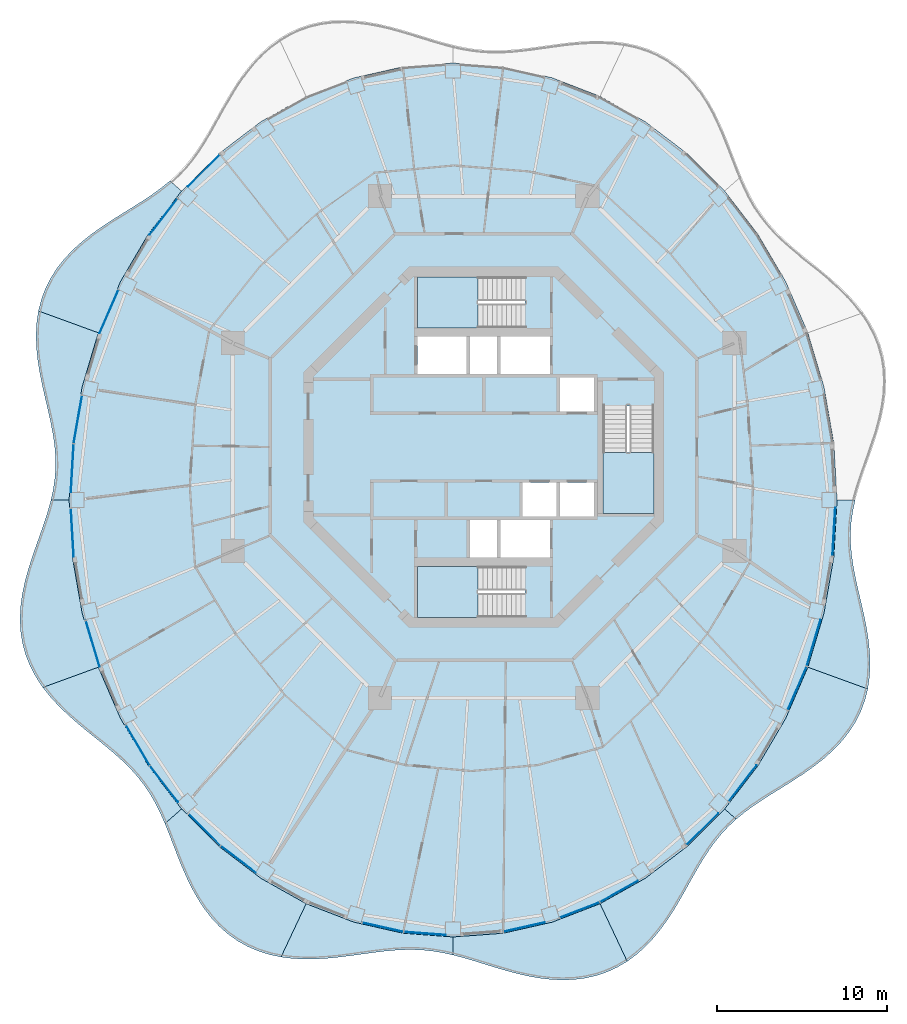
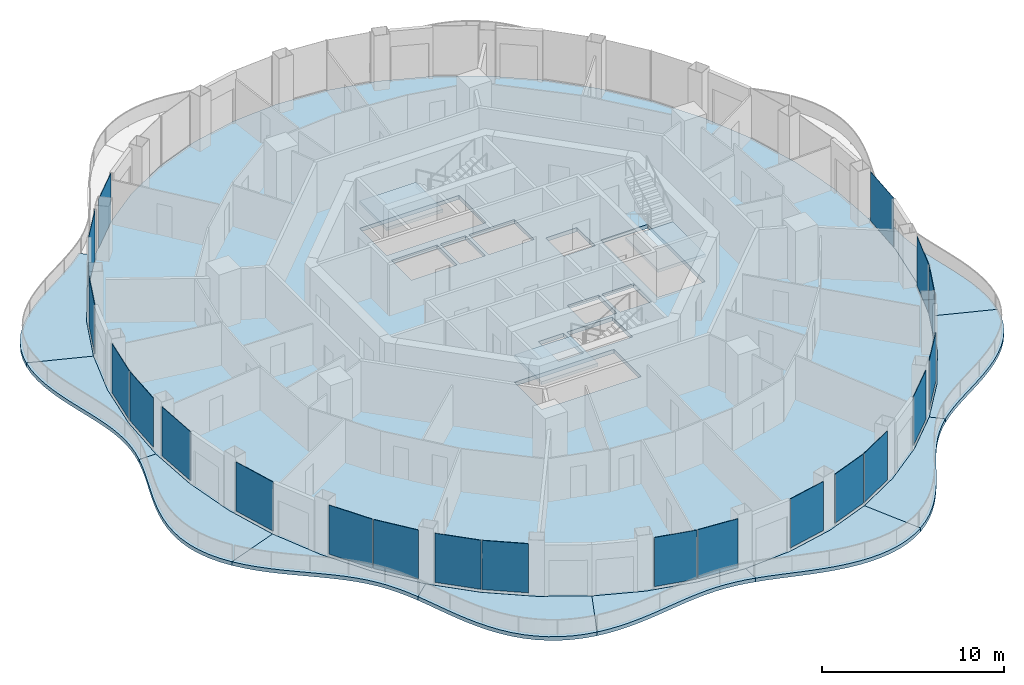
# One storey, part 8 of 17: 21 plates, 14 slabs, 24 elements without a shape of their own.
"""IFC4 building model written with IfcOpenShell, lengths in metres."""

from ifc_helpers import new_model, si_unit, direction, frame, origin, origin_2d, place, context, subcontext, project, spatial, polyline, rectangle, outline, extrude, material, layer, layer_set, type_object, element, aggregate, save


model = new_model("IFC4")

# Units and contexts
model_context = context("Model", 3, precision=1e-05, world=origin(), true_north=direction((0.0, 1.0)))
body_context = subcontext(model_context, "Body", "Model", "MODEL_VIEW")
ifc_project = project(units=[si_unit("LENGTHUNIT", "METRE"), si_unit("AREAUNIT", "SQUARE_METRE"), si_unit("VOLUMEUNIT", "CUBIC_METRE"), si_unit("PLANEANGLEUNIT", "RADIAN"), si_unit("MASSUNIT", "GRAM", prefix="KILO")], contexts=[model_context])

# Site, building, storey
site_placement = place(None, origin())
site = spatial("IfcSite", under=ifc_project, at=site_placement, CompositionType="ELEMENT")
building_placement = place(site_placement, origin())
building = spatial("IfcBuilding", under=site, at=building_placement, Name="Nagisa Residences", CompositionType="ELEMENT")
storey_placement = place(building_placement, frame((0.0, 0.0, 262.199951171875)))
storey = spatial("IfcBuildingStorey", under=building, at=storey_placement, Name="L66", CompositionType="ELEMENT", Elevation=262.199951171875)

# Slabs
ifc_material_1 = material(Name="Concrete C40/50", Category="concrete")
ifc_layer_1 = layer(ifc_material_1, 0.25)
ifc_layer_set_1 = layer_set([ifc_layer_1], Name="BALCONY SLAB 250")
slab_type_1 = type_object("IfcSlabType", Name="BALCONY SLAB 250", PredefinedType="FLOOR", material=ifc_layer_set_1)
slab_1_placement = place(storey_placement, frame((0.0, 0.0, -0.25)))
element("IfcSlab", 1, at=slab_1_placement, inside=storey, type_object=slab_type_1, Name="slab:L66:bal06", PredefinedType="FLOOR", context=body_context, shape_type="SweptSolid", body=[
    extrude(outline(polyline([(-18.478271484375, 15.683837890625), (-18.9755859375, 15.27685546875), (-19.50634765625, 14.88916015625), (-20.067138671875, 14.513671875), (-20.652587890625, 14.143310546875), (-21.25537109375, 13.770263671875), (-21.86669921875, 13.38671875), (-22.4765625, 12.986083984375), (-23.07373046875, 12.56201171875), (-23.6474609375, 12.109375), (-24.1865234375, 11.624755859375), (-24.6806640625, 11.10546875), (-25.120849609375, 10.55126953125), (-25.499755859375, 9.96240234375), (-25.811767578125, 9.34130859375), (-26.053955078125, 8.691162109375), (-26.22509765625, 8.016357421875), (-22.6982421875, 6.732666015625), (-21.389404296875, 9.752197265625), (-19.74560546875, 12.5517578125), (-17.794677734375, 15.083251953125), (-18.478271484375, 15.683837890625)])), origin(), (0.0, 0.0, 1.0), 0.25),
])
slab_2_placement = place(storey_placement, frame((0.0, 0.0, -0.25)))
element("IfcSlab", 2, at=slab_2_placement, inside=storey, type_object=slab_type_1, Name="slab:L66:bal07", PredefinedType="FLOOR", context=body_context, shape_type="SweptSolid", body=[
    extrude(outline(polyline([(-26.22509765625, 8.016357421875), (-26.329345703125, 7.29931640625), (-26.364501953125, 6.5673828125), (-26.337890625, 5.82666015625), (-26.2587890625, 5.082763671875), (-26.138671875, 4.341552734375), (-25.98974609375, 3.607421875), (-25.825927734375, 2.8837890625), (-25.66015625, 2.173583984375), (-25.505859375, 1.477783203125), (-25.374755859375, 0.796142578125), (-25.277099609375, 0.127685546875), (-25.22119140625, -0.530029296875), (-25.212646484375, -1.179443359375), (-25.254150390625, -1.82470703125), (-25.345703125, -2.469482421875), (-25.484130859375, -3.11767578125), (-24.419921875, -3.11767578125), (-24.2265625, 0.241943359375), (-23.649169921875, 3.544189453125), (-22.6982421875, 6.732666015625), (-26.22509765625, 8.016357421875)])), origin(), (0.0, 0.0, 1.0), 0.25),
])
slab_3_placement = place(storey_placement, frame((0.0, 0.0, -0.25)))
element("IfcSlab", 3, at=slab_3_placement, inside=storey, type_object=slab_type_1, Name="slab:L66:bal08", PredefinedType="FLOOR", context=body_context, shape_type="SweptSolid", body=[
    extrude(outline(polyline([(-25.484130859375, -3.11767578125), (-25.6640625, -3.772705078125), (-25.876953125, -4.437255859375), (-26.112060546875, -5.11376953125), (-26.357666015625, -5.80322265625), (-26.6005859375, -6.505615234375), (-26.82666015625, -7.2197265625), (-27.02294921875, -7.943359375), (-27.17626953125, -8.6728515625), (-27.275146484375, -9.404052734375), (-27.310546875, -10.13232421875), (-27.274658203125, -10.852294921875), (-27.162841796875, -11.55859375), (-26.9736328125, -12.24609375), (-26.7080078125, -12.91064453125), (-26.36962890625, -13.54833984375), (-25.965087890625, -14.1572265625), (-22.6982421875, -12.968017578125), (-23.649169921875, -9.77978515625), (-24.2265625, -6.4775390625), (-24.419921875, -3.11767578125), (-25.484130859375, -3.11767578125)])), origin(), (0.0, 0.0, 1.0), 0.25),
])
slab_4_placement = place(storey_placement, frame((0.0, 0.0, -0.25)))
element("IfcSlab", 4, at=slab_4_placement, inside=storey, type_object=slab_type_1, Name="slab:L66:bal09", PredefinedType="FLOOR", context=body_context, shape_type="SweptSolid", body=[
    extrude(outline(polyline([(-25.965087890625, -14.1572265625), (-25.51806640625, -14.71826171875), (-25.026611328125, -15.251220703125), (-24.501708984375, -15.7578125), (-23.954833984375, -16.240966796875), (-23.3974609375, -16.704833984375), (-22.841064453125, -17.154541015625), (-22.296142578125, -17.59619140625), (-21.771728515625, -18.036376953125), (-21.275390625, -18.4814453125), (-20.812744140625, -18.938232421875), (-20.38720703125, -19.41259765625), (-19.999755859375, -19.90966796875), (-19.649169921875, -20.43310546875), (-19.331787109375, -20.98583984375), (-19.04248046875, -21.568115234375), (-18.77392578125, -22.17919921875), (-17.794677734375, -21.318603515625), (-19.74560546875, -18.787109375), (-21.389404296875, -15.98779296875), (-22.6982421875, -12.968017578125), (-25.965087890625, -14.1572265625)])), origin(), (0.0, 0.0, 1.0), 0.25),
])
slab_5_placement = place(storey_placement, frame((0.0, 0.0, -0.25)))
element("IfcSlab", 5, at=slab_5_placement, inside=storey, type_object=slab_type_1, Name="slab:L66:bal10", PredefinedType="FLOOR", context=body_context, shape_type="SweptSolid", body=[
    extrude(outline(polyline([(-18.77392578125, -22.17919921875), (-18.529541015625, -22.78515625), (-18.28857421875, -23.41064453125), (-18.04248046875, -24.04931640625), (-17.783203125, -24.69482421875), (-17.50244140625, -25.3388671875), (-17.193603515625, -25.97314453125), (-16.85009765625, -26.58837890625), (-16.46728515625, -27.175537109375), (-16.042236328125, -27.72607421875), (-15.572998046875, -28.231689453125), (-15.059814453125, -28.685302734375), (-14.504150390625, -29.08154296875), (-13.9091796875, -29.416015625), (-13.279052734375, -29.68701171875), (-12.61962890625, -29.89404296875), (-11.936767578125, -30.039306640625), (-10.456298828125, -26.8984375), (-13.110107421875, -25.4091796875), (-15.570068359375, -23.53857421875), (-17.794677734375, -21.318603515625), (-18.77392578125, -22.17919921875)])), origin(), (0.0, 0.0, 1.0), 0.25),
])
slab_6_placement = place(storey_placement, frame((0.0, 0.0, -0.25)))
element("IfcSlab", 6, at=slab_6_placement, inside=storey, type_object=slab_type_1, Name="slab:L66:bal11", PredefinedType="FLOOR", context=body_context, shape_type="SweptSolid", body=[
    extrude(outline(polyline([(-11.936767578125, -30.039306640625), (-11.262939453125, -30.124267578125), (-10.579345703125, -30.160400390625), (-9.892333984375, -30.154052734375), (-9.20703125, -30.11328125), (-8.52783203125, -30.046630859375), (-7.85888671875, -29.963134765625), (-7.20263671875, -29.87255859375), (-6.56103515625, -29.78369140625), (-5.93408203125, -29.70556640625), (-5.3212890625, -29.645751953125), (-4.72119140625, -29.61083984375), (-4.130859375, -29.60595703125), (-3.54736328125, -29.634033203125), (-2.966796875, -29.69677734375), (-2.3857421875, -29.793701171875), (-1.800048828125, -29.921875), (-1.800048828125, -28.857666015625), (-4.75244140625, -28.637451171875), (-7.654541015625, -27.980712890625), (-10.456298828125, -26.8984375), (-11.936767578125, -30.039306640625)])), origin(), (0.0, 0.0, 1.0), 0.25),
])
slab_7_placement = place(storey_placement, frame((0.0, 0.0, -0.25)))
element("IfcSlab", 7, at=slab_7_placement, inside=storey, type_object=slab_type_1, Name="slab:L66:bal12", PredefinedType="FLOOR", context=body_context, shape_type="SweptSolid", body=[
    extrude(outline(polyline([(-1.800048828125, -29.921875), (-1.206298828125, -30.077392578125), (-0.601806640625, -30.254150390625), (0.015869140625, -30.44482421875), (0.6474609375, -30.640380859375), (1.293701171875, -30.83203125), (1.952880859375, -31.009521484375), (2.62353515625, -31.163330078125), (3.302490234375, -31.283935546875), (3.9853515625, -31.362548828125), (4.66796875, -31.391845703125), (5.3447265625, -31.365234375), (6.01025390625, -31.278076171875), (6.6591796875, -31.127685546875), (7.286376953125, -30.912841796875), (7.886962890625, -30.634521484375), (8.45751953125, -30.29541015625), (6.856201171875, -26.8984375), (4.054443359375, -27.980712890625), (1.152587890625, -28.637451171875), (-1.800048828125, -28.857666015625), (-1.800048828125, -29.921875)])), origin(), (0.0, 0.0, 1.0), 0.25),
])
slab_8_placement = place(storey_placement, frame((0.0, 0.0, -0.25)))
element("IfcSlab", 8, at=slab_8_placement, inside=storey, type_object=slab_type_1, Name="slab:L66:bal13", PredefinedType="FLOOR", context=body_context, shape_type="SweptSolid", body=[
    extrude(outline(polyline([(8.45751953125, -30.29541015625), (9.014404296875, -29.8837890625), (9.533935546875, -29.41796875), (10.015625, -28.905517578125), (10.4609375, -28.355712890625), (10.872314453125, -27.7783203125), (11.25439453125, -27.18310546875), (11.612060546875, -26.579833984375), (11.951904296875, -25.977783203125), (12.28125, -25.385498046875), (12.607421875, -24.81005859375), (12.93798828125, -24.25732421875), (13.2802734375, -23.7314453125), (13.640625, -23.234619140625), (14.0244140625, -22.767822265625), (14.43603515625, -22.330322265625), (14.878173828125, -21.919189453125), (14.19482421875, -21.318603515625), (11.97021484375, -23.53857421875), (9.510009765625, -25.4091796875), (6.856201171875, -26.8984375), (8.45751953125, -30.29541015625)])), origin(), (0.0, 0.0, 1.0), 0.25),
])
slab_9_placement = place(storey_placement, frame((0.0, 0.0, -0.25)))
element("IfcSlab", 9, at=slab_9_placement, inside=storey, type_object=slab_type_1, Name="slab:L66:bal14", PredefinedType="FLOOR", context=body_context, shape_type="SweptSolid", body=[
    extrude(outline(polyline([(14.878173828125, -21.919189453125), (15.37548828125, -21.51220703125), (15.90625, -21.12451171875), (16.467041015625, -20.749267578125), (17.052490234375, -20.378662109375), (17.655517578125, -20.005615234375), (18.266845703125, -19.6220703125), (18.87646484375, -19.221435546875), (19.473876953125, -18.79736328125), (20.04736328125, -18.3447265625), (20.58642578125, -17.860107421875), (21.08056640625, -17.3408203125), (21.52099609375, -16.78662109375), (21.89990234375, -16.19775390625), (22.2119140625, -15.57666015625), (22.453857421875, -14.9267578125), (22.625244140625, -14.251708984375), (19.09814453125, -12.968017578125), (17.78955078125, -15.98779296875), (16.145751953125, -18.787109375), (14.19482421875, -21.318603515625), (14.878173828125, -21.919189453125)])), origin(), (0.0, 0.0, 1.0), 0.25),
])
slab_10_placement = place(storey_placement, frame((0.0, 0.0, -0.25)))
element("IfcSlab", 10, at=slab_10_placement, inside=storey, type_object=slab_type_1, Name="slab:L66:bal15", PredefinedType="FLOOR", context=body_context, shape_type="SweptSolid", body=[
    extrude(outline(polyline([(22.625244140625, -14.251708984375), (22.729248046875, -13.534912109375), (22.7646484375, -12.802734375), (22.738037109375, -12.06201171875), (22.658935546875, -11.318115234375), (22.53857421875, -10.576904296875), (22.389892578125, -9.8427734375), (22.225830078125, -9.119384765625), (22.06005859375, -8.408935546875), (21.90576171875, -7.713134765625), (21.774658203125, -7.031494140625), (21.67724609375, -6.363037109375), (21.621337890625, -5.70556640625), (21.612548828125, -5.055908203125), (21.654052734375, -4.41064453125), (21.74560546875, -3.765869140625), (21.88427734375, -3.11767578125), (20.820068359375, -3.11767578125), (20.62646484375, -6.4775390625), (20.04931640625, -9.77978515625), (19.09814453125, -12.968017578125), (22.625244140625, -14.251708984375)])), origin(), (0.0, 0.0, 1.0), 0.25),
])

# Curtain wall, plate
ifc_material_2 = material(Name="Concrete-coloured aluminium curtain wall system", Category="concrete")
ifc_layer_2 = layer(ifc_material_2, 0.159912109375)
ifc_layer_set_2 = layer_set([ifc_layer_2], Name="CW1 CURTAIN WALL")
curtain_wall_type = type_object("IfcCurtainWallType", Name="CW1 CURTAIN WALL", PredefinedType="NOTDEFINED", material=ifc_layer_set_2)
curtain_wall_1_placement = place(storey_placement, origin())
curtain_wall_1 = element("IfcCurtainWall", 11, at=curtain_wall_1_placement, inside=storey, type_object=curtain_wall_type, Name="cw:CW1:L66:17", PredefinedType="NOTDEFINED")
ifc_material_3 = material(Name="Clear laminated glass", Category="glass")
ifc_layer_3 = layer(ifc_material_3, 0.028076171875)
ifc_layer_set_3 = layer_set([ifc_layer_3], Name="CW1 GLASS PANEL")
plate_type = type_object("IfcPlateType", Name="CW1 GLASS PANEL", PredefinedType="CURTAIN_PANEL", material=ifc_layer_set_3)
plate_1_placement = place(storey_placement, frame((-16.488037109375, 16.2744140625, 0.150146484375), z_axis=(0.0, 0.0, 1.0), x_axis=(-0.707835924016, -0.706376885714, 0.0)))
plate_1 = element("IfcPlate", 12, at=plate_1_placement, type_object=plate_type, Name="CW1 panel", PredefinedType="CURTAIN_PANEL", context=body_context, shape_type="SweptSolid", body=[
    extrude(rectangle(XDim=2.6328125, YDim=0.028076171875, at=origin_2d()), origin(), (0.0, 0.0, 1.0), 3.2900390625),
])
aggregate(curtain_wall_1, [plate_1])

curtain_wall_2_placement = place(storey_placement, origin())
curtain_wall_2 = element("IfcCurtainWall", 13, at=curtain_wall_2_placement, inside=storey, type_object=curtain_wall_type, Name="cw:CW1:L66:18", PredefinedType="NOTDEFINED")
plate_2_placement = place(storey_placement, frame((-18.862548828125, 13.566650390625, 0.150146484375), z_axis=(0.0, 0.0, 1.0), x_axis=(-0.610429828235, -0.792070340816, 0.0)))
plate_2 = element("IfcPlate", 14, at=plate_2_placement, type_object=plate_type, Name="CW1 panel", PredefinedType="CURTAIN_PANEL", context=body_context, shape_type="SweptSolid", body=[
    extrude(rectangle(XDim=2.68603515625, YDim=0.028076171875, at=origin_2d()), origin(), (0.0, 0.0, 1.0), 3.2900390625),
])
aggregate(curtain_wall_2, [plate_2])

curtain_wall_3_placement = place(storey_placement, origin())
curtain_wall_3 = element("IfcCurtainWall", 15, at=curtain_wall_3_placement, inside=storey, type_object=curtain_wall_type, Name="cw:CW1:L66:20", PredefinedType="NOTDEFINED")
plate_3_placement = place(storey_placement, frame((-22.07177734375, 7.9765625, 0.150146484375), z_axis=(0.0, 0.0, 1.0), x_axis=(-0.397635934147, -0.917543276295, 0.0)))
plate_3 = element("IfcPlate", 16, at=plate_3_placement, type_object=plate_type, Name="CW1 panel", PredefinedType="CURTAIN_PANEL", context=body_context, shape_type="SweptSolid", body=[
    extrude(rectangle(XDim=2.781005859375, YDim=0.028076171875, at=origin_2d()), origin(), (0.0, 0.0, 1.0), 3.2900390625),
])
aggregate(curtain_wall_3, [plate_3])

curtain_wall_4_placement = place(storey_placement, origin())
curtain_wall_4 = element("IfcCurtainWall", 17, at=curtain_wall_4_placement, inside=storey, type_object=curtain_wall_type, Name="cw:CW1:L66:22", PredefinedType="NOTDEFINED")
plate_4_placement = place(storey_placement, frame((-23.903076171875, 1.628173828125, 0.150146484375), z_axis=(0.0, 0.0, 1.0), x_axis=(-0.172190868898, -0.985063604377, 0.0)))
plate_4 = element("IfcPlate", 18, at=plate_4_placement, type_object=plate_type, Name="CW1 panel", PredefinedType="CURTAIN_PANEL", context=body_context, shape_type="SweptSolid", body=[
    extrude(rectangle(XDim=2.84228515625, YDim=0.028076171875, at=origin_2d()), origin(), (0.0, 0.0, 1.0), 3.2900390625),
])
aggregate(curtain_wall_4, [plate_4])

curtain_wall_5_placement = place(storey_placement, origin())
curtain_wall_5 = element("IfcCurtainWall", 19, at=curtain_wall_5_placement, inside=storey, type_object=curtain_wall_type, Name="cw:CW1:L66:23", PredefinedType="NOTDEFINED")
plate_5_placement = place(storey_placement, frame((-24.232177734375, -1.247802734375, 0.150146484375), z_axis=(0.0, 0.0, 1.0), x_axis=(-0.057503492216, -0.998345305184, 0.0)))
plate_5 = element("IfcPlate", 20, at=plate_5_placement, type_object=plate_type, Name="CW1 panel", PredefinedType="CURTAIN_PANEL", context=body_context, shape_type="SweptSolid", body=[
    extrude(rectangle(XDim=2.855224609375, YDim=0.028076171875, at=origin_2d()), origin(), (0.0, 0.0, 1.0), 3.2900390625),
])
aggregate(curtain_wall_5, [plate_5])

curtain_wall_6_placement = place(storey_placement, origin())
curtain_wall_6 = element("IfcCurtainWall", 21, at=curtain_wall_6_placement, inside=storey, type_object=curtain_wall_type, Name="cw:CW1:L66:24", PredefinedType="NOTDEFINED")
plate_6_placement = place(storey_placement, frame((-24.228759765625, -5.047607421875, 0.150146484375), z_axis=(0.0, 0.0, 1.0), x_axis=(0.057503492216, -0.998345305184, 0.0)))
plate_6 = element("IfcPlate", 22, at=plate_6_placement, type_object=plate_type, Name="CW1 panel", PredefinedType="CURTAIN_PANEL", context=body_context, shape_type="SweptSolid", body=[
    extrude(rectangle(XDim=2.855224609375, YDim=0.028076171875, at=origin_2d()), origin(), (0.0, 0.0, 1.0), 3.2900390625),
])
aggregate(curtain_wall_6, [plate_6])

curtain_wall_7_placement = place(storey_placement, origin())
curtain_wall_7 = element("IfcCurtainWall", 23, at=curtain_wall_7_placement, inside=storey, type_object=curtain_wall_type, Name="cw:CW1:L66:26", PredefinedType="NOTDEFINED")
plate_7_placement = place(storey_placement, frame((-23.024169921875, -11.59521484375, 0.150146484375), z_axis=(0.0, 0.0, 1.0), x_axis=(0.285860274038, -0.958271310082, 0.0)))
plate_7 = element("IfcPlate", 24, at=plate_7_placement, type_object=plate_type, Name="CW1 panel", PredefinedType="CURTAIN_PANEL", context=body_context, shape_type="SweptSolid", body=[
    extrude(rectangle(XDim=2.817138671875, YDim=0.028076171875, at=origin_2d()), origin(), (0.0, 0.0, 1.0), 3.2900390625),
])
aggregate(curtain_wall_7, [plate_7])

curtain_wall_8_placement = place(storey_placement, origin())
curtain_wall_8 = element("IfcCurtainWall", 25, at=curtain_wall_8_placement, inside=storey, type_object=curtain_wall_type, Name="cw:CW1:L66:28", PredefinedType="NOTDEFINED")
plate_8_placement = place(storey_placement, frame((-20.369384765625, -17.56689453125, 0.150146484375), z_axis=(0.0, 0.0, 1.0), x_axis=(0.506348567002, -0.862328898214, 0.0)))
plate_8 = element("IfcPlate", 26, at=plate_8_placement, type_object=plate_type, Name="CW1 panel", PredefinedType="CURTAIN_PANEL", context=body_context, shape_type="SweptSolid", body=[
    extrude(rectangle(XDim=2.736572265625, YDim=0.028076171875, at=origin_2d()), origin(), (0.0, 0.0, 1.0), 3.2900390625),
])
aggregate(curtain_wall_8, [plate_8])

curtain_wall_9_placement = place(storey_placement, origin())
curtain_wall_9 = element("IfcCurtainWall", 27, at=curtain_wall_9_placement, inside=storey, type_object=curtain_wall_type, Name="cw:CW1:L66:29", PredefinedType="NOTDEFINED")
plate_9_placement = place(storey_placement, frame((-18.825927734375, -19.849609375, 0.150146484375), z_axis=(0.0, 0.0, 1.0), x_axis=(0.610429828235, -0.792070340816, 0.0)))
plate_9 = element("IfcPlate", 28, at=plate_9_placement, type_object=plate_type, Name="CW1 panel", PredefinedType="CURTAIN_PANEL", context=body_context, shape_type="SweptSolid", body=[
    extrude(rectangle(XDim=2.68603515625, YDim=0.028076171875, at=origin_2d()), origin(), (0.0, 0.0, 1.0), 3.2900390625),
])
aggregate(curtain_wall_9, [plate_9])

curtain_wall_10_placement = place(storey_placement, origin())
curtain_wall_10 = element("IfcCurtainWall", 29, at=curtain_wall_10_placement, inside=storey, type_object=curtain_wall_type, Name="cw:CW1:L66:30", PredefinedType="NOTDEFINED")
plate_10_placement = place(storey_placement, frame((-16.445556640625, -22.552001953125, 0.150146484375), z_axis=(0.0, 0.0, 1.0), x_axis=(0.707835924016, -0.706376885714, 0.0)))
plate_10 = element("IfcPlate", 30, at=plate_10_placement, type_object=plate_type, Name="CW1 panel", PredefinedType="CURTAIN_PANEL", context=body_context, shape_type="SweptSolid", body=[
    extrude(rectangle(XDim=2.6328125, YDim=0.028076171875, at=origin_2d()), origin(), (0.0, 0.0, 1.0), 3.2900390625),
])
aggregate(curtain_wall_10, [plate_10])

curtain_wall_11_placement = place(storey_placement, origin())
curtain_wall_11 = element("IfcCurtainWall", 31, at=curtain_wall_11_placement, inside=storey, type_object=curtain_wall_type, Name="cw:CW1:L66:31", PredefinedType="NOTDEFINED")
plate_11_placement = place(storey_placement, frame((-14.44677734375, -24.292236328125, 0.150146484375), z_axis=(0.0, 0.0, 1.0), x_axis=(0.79603132756, -0.605255421737, 0.0)))
plate_11 = element("IfcPlate", 32, at=plate_11_placement, type_object=plate_type, Name="CW1 panel", PredefinedType="CURTAIN_PANEL", context=body_context, shape_type="SweptSolid", body=[
    extrude(rectangle(XDim=2.58056640625, YDim=0.028076171875, at=origin_2d()), origin(), (0.0, 0.0, 1.0), 3.2900390625),
])
aggregate(curtain_wall_11, [plate_11])

curtain_wall_12_placement = place(storey_placement, origin())
curtain_wall_12 = element("IfcCurtainWall", 33, at=curtain_wall_12_placement, inside=storey, type_object=curtain_wall_type, Name="cw:CW1:L66:34", PredefinedType="NOTDEFINED")
plate_12_placement = place(storey_placement, frame((-5.93701171875, -28.287353515625, 0.150146484375), z_axis=(0.0, 0.0, 1.0), x_axis=(0.975327274089, -0.2207639201, 0.0)))
plate_12 = element("IfcPlate", 34, at=plate_12_placement, type_object=plate_type, Name="CW1 panel", PredefinedType="CURTAIN_PANEL", context=body_context, shape_type="SweptSolid", body=[
    extrude(rectangle(XDim=2.46533203125, YDim=0.028076171875, at=origin_2d()), origin(), (0.0, 0.0, 1.0), 3.2900390625),
])
aggregate(curtain_wall_12, [plate_12])

curtain_wall_13_placement = place(storey_placement, origin())
curtain_wall_13 = element("IfcCurtainWall", 35, at=curtain_wall_13_placement, inside=storey, type_object=curtain_wall_type, Name="cw:CW1:L66:35", PredefinedType="NOTDEFINED")
plate_13_placement = place(storey_placement, frame((-3.46484375, -28.6533203125, 0.150146484375), z_axis=(0.0, 0.0, 1.0), x_axis=(0.997230168512, -0.074377355493, 0.0)))
plate_13 = element("IfcPlate", 36, at=plate_13_placement, type_object=plate_type, Name="CW1 panel", PredefinedType="CURTAIN_PANEL", context=body_context, shape_type="SweptSolid", body=[
    extrude(rectangle(XDim=2.45068359375, YDim=0.028076171875, at=origin_2d()), origin(), (0.0, 0.0, 1.0), 3.2900390625),
])
aggregate(curtain_wall_13, [plate_13])

curtain_wall_14_placement = place(storey_placement, origin())
curtain_wall_14 = element("IfcCurtainWall", 37, at=curtain_wall_14_placement, inside=storey, type_object=curtain_wall_type, Name="cw:CW1:L66:37", PredefinedType="NOTDEFINED")
plate_14_placement = place(storey_placement, frame((2.395751953125, -28.274169921875, 0.150146484375), z_axis=(0.0, 0.0, 1.0), x_axis=(0.975327274089, 0.2207639201, 0.0)))
plate_14 = element("IfcPlate", 38, at=plate_14_placement, type_object=plate_type, Name="CW1 panel", PredefinedType="CURTAIN_PANEL", context=body_context, shape_type="SweptSolid", body=[
    extrude(rectangle(XDim=2.46533203125, YDim=0.028076171875, at=origin_2d()), origin(), (0.0, 0.0, 1.0), 3.2900390625),
])
aggregate(curtain_wall_14, [plate_14])

curtain_wall_15_placement = place(storey_placement, origin())
curtain_wall_15 = element("IfcCurtainWall", 39, at=curtain_wall_15_placement, inside=storey, type_object=curtain_wall_type, Name="cw:CW1:L66:38", PredefinedType="NOTDEFINED")
plate_15_placement = place(storey_placement, frame((5.66455078125, -27.27294921875, 0.150146484375), z_axis=(0.0, 0.0, 1.0), x_axis=(0.932825759707, 0.360327770268, 0.0)))
plate_15 = element("IfcPlate", 40, at=plate_15_placement, type_object=plate_type, Name="CW1 panel", PredefinedType="CURTAIN_PANEL", context=body_context, shape_type="SweptSolid", body=[
    extrude(rectangle(XDim=2.49365234375, YDim=0.028076171875, at=origin_2d()), origin(), (0.0, 0.0, 1.0), 3.2900390625),
])
aggregate(curtain_wall_15, [plate_15])

curtain_wall_16_placement = place(storey_placement, origin())
curtain_wall_16 = element("IfcCurtainWall", 41, at=curtain_wall_16_placement, inside=storey, type_object=curtain_wall_type, Name="cw:CW1:L66:39", PredefinedType="NOTDEFINED")
plate_16_placement = place(storey_placement, frame((7.973876953125, -26.179443359375, 0.150146484375), z_axis=(0.0, 0.0, 1.0), x_axis=(0.872072377523, 0.489376918501, 0.0)))
plate_16 = element("IfcPlate", 42, at=plate_16_placement, type_object=plate_type, Name="CW1 panel", PredefinedType="CURTAIN_PANEL", context=body_context, shape_type="SweptSolid", body=[
    extrude(rectangle(XDim=2.532958984375, YDim=0.028076171875, at=origin_2d()), origin(), (0.0, 0.0, 1.0), 3.2900390625),
])
aggregate(curtain_wall_16, [plate_16])

curtain_wall_17_placement = place(storey_placement, origin())
curtain_wall_17 = element("IfcCurtainWall", 43, at=curtain_wall_17_placement, inside=storey, type_object=curtain_wall_type, Name="cw:CW1:L66:41", PredefinedType="NOTDEFINED")
plate_17_placement = place(storey_placement, frame((12.887939453125, -22.509765625, 0.150146484375), z_axis=(0.0, 0.0, 1.0), x_axis=(0.707835924016, 0.706376885714, 0.0)))
plate_17 = element("IfcPlate", 44, at=plate_17_placement, type_object=plate_type, Name="CW1 panel", PredefinedType="CURTAIN_PANEL", context=body_context, shape_type="SweptSolid", body=[
    extrude(rectangle(XDim=2.6328125, YDim=0.028076171875, at=origin_2d()), origin(), (0.0, 0.0, 1.0), 3.2900390625),
])
aggregate(curtain_wall_17, [plate_17])

curtain_wall_18_placement = place(storey_placement, origin())
curtain_wall_18 = element("IfcCurtainWall", 45, at=curtain_wall_18_placement, inside=storey, type_object=curtain_wall_type, Name="cw:CW1:L66:42", PredefinedType="NOTDEFINED")
plate_18_placement = place(storey_placement, frame((15.262451171875, -19.802001953125, 0.150146484375), z_axis=(0.0, 0.0, 1.0), x_axis=(0.610429828235, 0.792070340816, 0.0)))
plate_18 = element("IfcPlate", 46, at=plate_18_placement, type_object=plate_type, Name="CW1 panel", PredefinedType="CURTAIN_PANEL", context=body_context, shape_type="SweptSolid", body=[
    extrude(rectangle(XDim=2.68603515625, YDim=0.028076171875, at=origin_2d()), origin(), (0.0, 0.0, 1.0), 3.2900390625),
])
aggregate(curtain_wall_18, [plate_18])

curtain_wall_19_placement = place(storey_placement, origin())
curtain_wall_19 = element("IfcCurtainWall", 47, at=curtain_wall_19_placement, inside=storey, type_object=curtain_wall_type, Name="cw:CW1:L66:44", PredefinedType="NOTDEFINED")
plate_19_placement = place(storey_placement, frame((18.471923828125, -14.212158203125, 0.150146484375), z_axis=(0.0, 0.0, 1.0), x_axis=(0.397635934147, 0.917543276295, 0.0)))
plate_19 = element("IfcPlate", 48, at=plate_19_placement, type_object=plate_type, Name="CW1 panel", PredefinedType="CURTAIN_PANEL", context=body_context, shape_type="SweptSolid", body=[
    extrude(rectangle(XDim=2.781005859375, YDim=0.028076171875, at=origin_2d()), origin(), (0.0, 0.0, 1.0), 3.2900390625),
])
aggregate(curtain_wall_19, [plate_19])

curtain_wall_20_placement = place(storey_placement, origin())
curtain_wall_20 = element("IfcCurtainWall", 49, at=curtain_wall_20_placement, inside=storey, type_object=curtain_wall_type, Name="cw:CW1:L66:45", PredefinedType="NOTDEFINED")
plate_20_placement = place(storey_placement, frame((19.44140625, -11.537841796875, 0.150146484375), z_axis=(0.0, 0.0, 1.0), x_axis=(0.285860274038, 0.958271310082, 0.0)))
plate_20 = element("IfcPlate", 50, at=plate_20_placement, type_object=plate_type, Name="CW1 panel", PredefinedType="CURTAIN_PANEL", context=body_context, shape_type="SweptSolid", body=[
    extrude(rectangle(XDim=2.817138671875, YDim=0.028076171875, at=origin_2d()), origin(), (0.0, 0.0, 1.0), 3.2900390625),
])
aggregate(curtain_wall_20, [plate_20])

curtain_wall_21_placement = place(storey_placement, origin())
curtain_wall_21 = element("IfcCurtainWall", 51, at=curtain_wall_21_placement, inside=storey, type_object=curtain_wall_type, Name="cw:CW1:L66:47", PredefinedType="NOTDEFINED")
plate_21_placement = place(storey_placement, frame((20.632080078125, -4.987548828125, 0.150146484375), z_axis=(0.0, 0.0, 1.0), x_axis=(0.057503492216, 0.998345305184, 0.0)))
plate_21 = element("IfcPlate", 52, at=plate_21_placement, type_object=plate_type, Name="CW1 panel", PredefinedType="CURTAIN_PANEL", context=body_context, shape_type="SweptSolid", body=[
    extrude(rectangle(XDim=2.855224609375, YDim=0.028076171875, at=origin_2d()), origin(), (0.0, 0.0, 1.0), 3.2900390625),
])
aggregate(curtain_wall_21, [plate_21])

# Slab
ifc_material_4 = material(Name="Concrete C40", Category="concrete")
ifc_layer_4 = layer(ifc_material_4, 0.260009765625)
ifc_layer_set_4 = layer_set([ifc_layer_4], Name="Floor slab 260")
slab_type_2 = type_object("IfcSlabType", Name="Floor slab 260", PredefinedType="FLOOR", material=ifc_layer_set_4)
slab_11_placement = place(storey_placement, frame((0.0, 0.0, -0.260009765625)))
element("IfcSlab", 53, at=slab_11_placement, inside=storey, type_object=slab_type_2, Name="slab:L66:floor", PredefinedType="FLOOR", context=body_context, shape_type="SweptSolid", body=[
    extrude(outline(polyline([(20.820068359375, -3.11767578125), (20.62646484375, 0.241943359375), (20.04931640625, 3.544189453125), (19.09814453125, 6.732666015625), (17.78955078125, 9.752197265625), (16.145751953125, 12.5517578125), (14.19482421875, 15.083251953125), (11.97021484375, 17.30322265625), (9.510009765625, 19.173828125), (6.856201171875, 20.6630859375), (4.054443359375, 21.745361328125), (1.152587890625, 22.402099609375), (-1.800048828125, 22.622314453125), (-4.75244140625, 22.402099609375), (-7.654541015625, 21.745361328125), (-10.456298828125, 20.6630859375), (-13.110107421875, 19.173828125), (-15.570068359375, 17.30322265625), (-17.794677734375, 15.083251953125), (-19.74560546875, 12.5517578125), (-21.389404296875, 9.752197265625), (-22.6982421875, 6.732666015625), (-23.649169921875, 3.544189453125), (-24.2265625, 0.241943359375), (-24.419921875, -3.11767578125), (-24.2265625, -6.4775390625), (-23.649169921875, -9.77978515625), (-22.6982421875, -12.968017578125), (-21.389404296875, -15.98779296875), (-19.74560546875, -18.787109375), (-17.794677734375, -21.318603515625), (-15.570068359375, -23.53857421875), (-13.110107421875, -25.4091796875), (-10.456298828125, -26.8984375), (-7.654541015625, -27.980712890625), (-4.75244140625, -28.637451171875), (-1.800048828125, -28.857666015625), (1.152587890625, -28.637451171875), (4.054443359375, -27.980712890625), (6.856201171875, -26.8984375), (9.510009765625, -25.4091796875), (11.97021484375, -23.53857421875), (14.19482421875, -21.318603515625), (16.145751953125, -18.787109375), (17.78955078125, -15.98779296875), (19.09814453125, -12.968017578125), (20.04931640625, -9.77978515625), (20.62646484375, -6.4775390625), (20.820068359375, -3.11767578125)]), holes=[polyline([(6.5, 2.10009765625), (6.5, 4.10009765625), (4.5, 4.10009765625), (4.5, 2.10009765625), (6.5, 2.10009765625)]), polyline([(4.300048828125, -4.10009765625), (4.300048828125, -2.10009765625), (2.300048828125, -2.10009765625), (2.300048828125, -4.10009765625), (4.300048828125, -4.10009765625)]), polyline([(6.5, -4.10009765625), (6.5, -2.10009765625), (4.5, -2.10009765625), (4.5, -4.10009765625), (6.5, -4.10009765625)]), polyline([(3.89990234375, 4.300048828125), (3.89990234375, 6.5), (1.0, 6.5), (1.0, 4.300048828125), (3.89990234375, 4.300048828125)]), polyline([(3.89990234375, -6.5), (3.89990234375, -4.300048828125), (1.0, -4.300048828125), (1.0, -6.5), (3.89990234375, -6.5)]), polyline([(-1.0, 4.300048828125), (-1.0, 6.5), (-3.89990234375, 6.5), (-3.89990234375, 4.300048828125), (-1.0, 4.300048828125)]), polyline([(0.800048828125, 4.300048828125), (0.800048828125, 6.5), (-0.800048828125, 6.5), (-0.800048828125, 4.300048828125), (0.800048828125, 4.300048828125)]), polyline([(0.800048828125, -6.5), (0.800048828125, -4.300048828125), (-0.800048828125, -4.300048828125), (-0.800048828125, -6.5), (0.800048828125, -6.5)]), polyline([(10.024658203125, -3.89990234375), (7.024658203125, -3.89990234375), (7.024658203125, 2.425048828125), (10.024658203125, 2.425048828125), (10.024658203125, -3.89990234375)]), polyline([(-3.89990234375, 7.024658203125), (-3.89990234375, 10.024658203125), (2.425048828125, 10.024658203125), (2.425048828125, 7.024658203125), (-3.89990234375, 7.024658203125)]), polyline([(-3.89990234375, -10.024658203125), (-3.89990234375, -7.024658203125), (2.425048828125, -7.024658203125), (2.425048828125, -10.024658203125), (-3.89990234375, -10.024658203125)])]), origin(), (0.0, 0.0, 1.0), 0.260009765625),
])

# Stair, slab
ifc_material_5 = material(Name="Concrete C60", Category="concrete")
stair_type = type_object("IfcStairType", Name="Exit stair", PredefinedType="HALF_TURN_STAIR", material=ifc_material_5)
stair_1_placement = place(storey_placement, origin())
stair_1 = element("IfcStair", 54, at=stair_1_placement, inside=storey, type_object=stair_type, Name="L66 Exit stair E", PredefinedType="HALF_TURN_STAIR")
ifc_material_6 = material(Name="Concrete C60", Category="concrete")
ifc_layer_5 = layer(ifc_material_6, 0.199951171875)
ifc_layer_set_5 = layer_set([ifc_layer_5], Name="Stair landing")
slab_type_3 = type_object("IfcSlabType", Name="Stair landing", PredefinedType="LANDING", material=ifc_layer_set_5)
slab_12_placement = place(storey_placement, frame((0.0, 0.0, 1.650146484375)))
slab_12 = element("IfcSlab", 55, at=slab_12_placement, type_object=slab_type_3, Name="ST-E landing 1", PredefinedType="LANDING", context=body_context, shape_type="SweptSolid", body=[
    extrude(outline(polyline([(7.024658203125, -0.324951171875), (7.024658203125, -3.89990234375), (10.024658203125, -3.89990234375), (10.024658203125, -0.324951171875), (7.024658203125, -0.324951171875)])), origin(), (0.0, 0.0, 1.0), 0.199951171875),
])
aggregate(stair_1, [slab_12])

stair_2_placement = place(storey_placement, origin())
stair_2 = element("IfcStair", 56, at=stair_2_placement, inside=storey, type_object=stair_type, Name="L66 Exit stair N", PredefinedType="HALF_TURN_STAIR")
slab_13_placement = place(storey_placement, frame((0.0, 0.0, 1.650146484375)))
slab_13 = element("IfcSlab", 57, at=slab_13_placement, type_object=slab_type_3, Name="ST-N landing 1", PredefinedType="LANDING", context=body_context, shape_type="SweptSolid", body=[
    extrude(outline(polyline([(-0.324951171875, 10.024658203125), (-3.89990234375, 10.024658203125), (-3.89990234375, 7.024658203125), (-0.324951171875, 7.024658203125), (-0.324951171875, 10.024658203125)])), origin(), (0.0, 0.0, 1.0), 0.199951171875),
])
aggregate(stair_2, [slab_13])

stair_3_placement = place(storey_placement, origin())
stair_3 = element("IfcStair", 58, at=stair_3_placement, inside=storey, type_object=stair_type, Name="L66 Exit stair S", PredefinedType="HALF_TURN_STAIR")
slab_14_placement = place(storey_placement, frame((0.0, 0.0, 1.650146484375)))
slab_14 = element("IfcSlab", 59, at=slab_14_placement, type_object=slab_type_3, Name="ST-S landing 1", PredefinedType="LANDING", context=body_context, shape_type="SweptSolid", body=[
    extrude(outline(polyline([(-0.324951171875, -7.024658203125), (-3.89990234375, -7.024658203125), (-3.89990234375, -10.024658203125), (-0.324951171875, -10.024658203125), (-0.324951171875, -7.024658203125)])), origin(), (0.0, 0.0, 1.0), 0.199951171875),
])
aggregate(stair_3, [slab_14])

save(model, "model.ifc")
